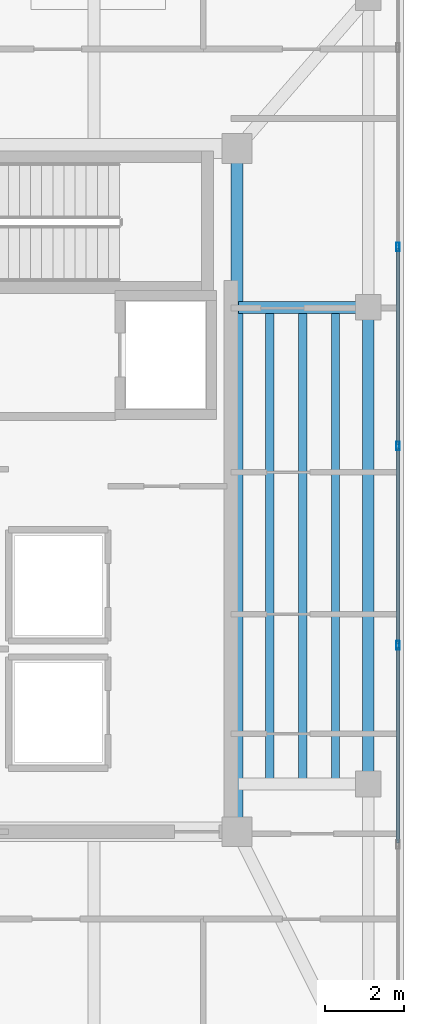
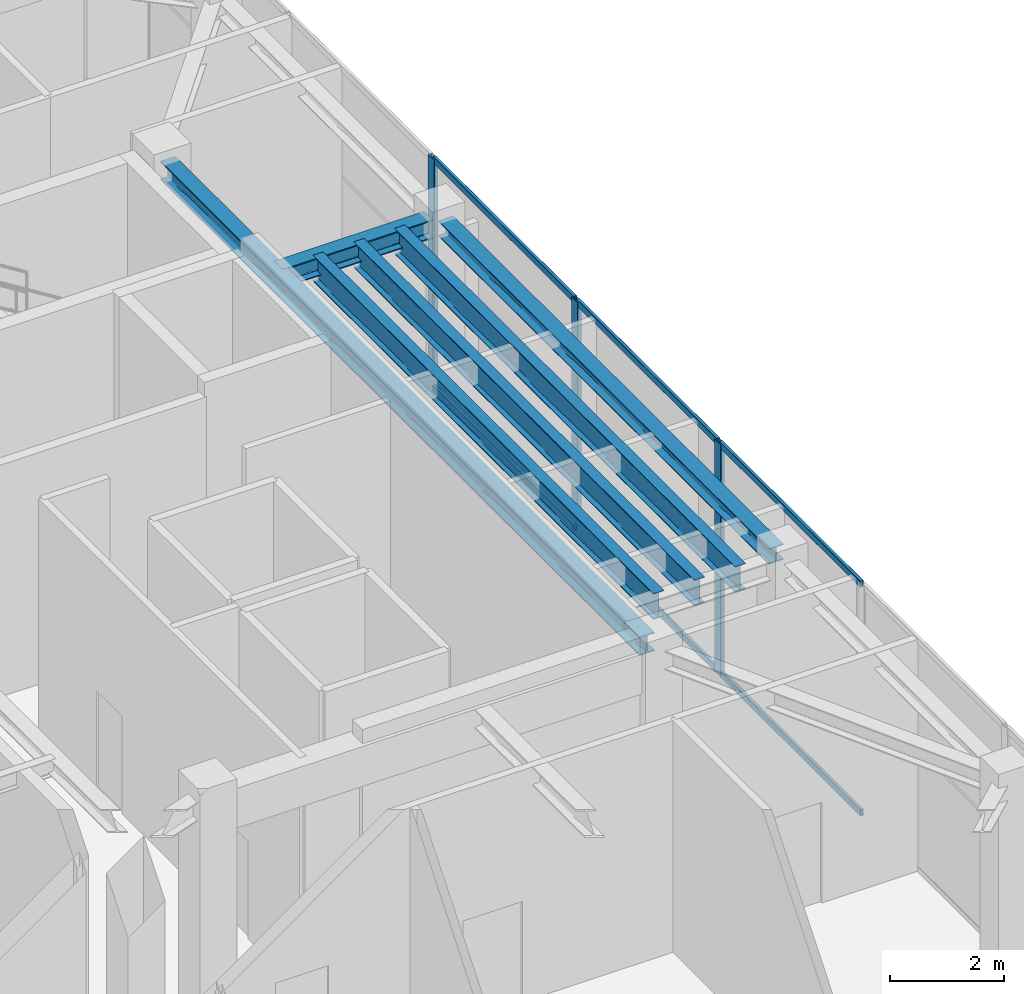
# One storey, part 9 of 23: 9 members, 6 beams, 1 element without a shape of its own.
"""IFC4 building model written with IfcOpenShell, lengths in metres."""

from ifc_helpers import new_model, si_unit, direction, frame, origin, origin_2d, place, context, subcontext, project, spatial, hollow_rectangle, i_section, extrude, material, layer, layer_set, material_profile, profile_set, type_object, element, aggregate, save


model = new_model("IFC4")

# Units and contexts
model_context = context("Model", 3, precision=1e-05, world=origin(), true_north=direction((0.0, 1.0)))
body_context = subcontext(model_context, "Body", "Model", "MODEL_VIEW")
ifc_project = project(units=[si_unit("LENGTHUNIT", "METRE"), si_unit("AREAUNIT", "SQUARE_METRE"), si_unit("VOLUMEUNIT", "CUBIC_METRE"), si_unit("PLANEANGLEUNIT", "RADIAN"), si_unit("MASSUNIT", "GRAM", prefix="KILO")], contexts=[model_context])

# Site, building, storey
site_placement = place(None, origin())
site = spatial("IfcSite", under=ifc_project, at=site_placement, CompositionType="ELEMENT")
building_placement = place(site_placement, origin())
building = spatial("IfcBuilding", under=site, at=building_placement, Name="Tarnavaz Court Tower", CompositionType="ELEMENT")
storey_placement = place(building_placement, frame((0.0, 0.0, 276.300048828125)))
storey = spatial("IfcBuildingStorey", under=building, at=storey_placement, Name="L75", CompositionType="ELEMENT", Elevation=276.300048828125)

# Beams
ifc_material_1 = material(Name="Steel S355", Category="steel")
ifc_material_profile_1 = material_profile(ifc_material_1, i_section(OverallWidth=0.300048828125, OverallDepth=0.39990234375, WebThickness=0.013427734375, FlangeThickness=0.02392578125, FilletRadius=0.027099609375, at=origin_2d()), Name="HEB 400")
ifc_profile_set_1 = profile_set([ifc_material_profile_1], Name="Steel S355")
beam_type_1 = type_object("IfcBeamType", Name="BM-G-HEB400", PredefinedType="USERDEFINED", material=ifc_profile_set_1)
beam_1_placement = place(storey_placement, frame((18.60009765625, -6.97998046875, 4.75), z_axis=(0.0, 1.0, 0.0), x_axis=(-1.0, 0.0, 0.0)))
element("IfcBeam", 1, at=beam_1_placement, inside=storey, type_object=beam_type_1, Name="L75 Beam IN-CE-SO-CE-NO", ObjectType="GIRDER", PredefinedType="USERDEFINED", context=body_context, shape_type="SweptSolid", body=[
    extrude(i_section(OverallWidth=0.300048828125, OverallDepth=0.39990234375, WebThickness=0.013427734375, FlangeThickness=0.02392578125, FilletRadius=0.027099609375, at=origin_2d()), origin(), (0.0, 0.0, 1.0), 16.760009765625),
])
beam_2_placement = place(storey_placement, frame((18.639892578125, 6.0, 4.75), z_axis=(1.0, 0.0, 0.0), x_axis=(0.0, 1.0, 0.0)))
element("IfcBeam", 2, at=beam_2_placement, inside=storey, type_object=beam_type_1, Name="L75 Beam RG-10", ObjectType="GIRDER", PredefinedType="USERDEFINED", context=body_context, shape_type="SweptSolid", body=[
    extrude(i_section(OverallWidth=0.300048828125, OverallDepth=0.39990234375, WebThickness=0.013427734375, FlangeThickness=0.02392578125, FilletRadius=0.027099609375, at=origin_2d()), origin(), (0.0, 0.0, 1.0), 3.0400390625),
])
ifc_material_profile_2 = material_profile(ifc_material_1, i_section(OverallWidth=0.2099609375, OverallDepth=0.550048828125, WebThickness=0.010986328125, FlangeThickness=0.01708984375, FilletRadius=0.02392578125, at=origin_2d()), Name="IPE 550")
ifc_profile_set_2 = profile_set([ifc_material_profile_2], Name="Steel S355")
beam_type_2 = type_object("IfcBeamType", Name="BM-J-IPE550", PredefinedType="JOIST", material=ifc_profile_set_2)
for number, where, z_axis, x_axis, name in (
    (3, (19.425048828125, -5.9599609375, 4.675048828125), (0.0, 1.0, 0.0), (-1.0, 0.0, 0.0), "L75 Beam JE1"),
    (4, (20.25, -5.9599609375, 4.675048828125), (0.0, 1.0, 0.0), (-1.0, 0.0, 0.0), "L75 Beam JE2"),
    (5, (21.074951171875, -5.9599609375, 4.675048828125), (0.0, 1.0, 0.0), (-1.0, 0.0, 0.0), "L75 Beam JE3"),
):
    element("IfcBeam", number, at=place(storey_placement, frame(where, z_axis=z_axis, x_axis=x_axis)), inside=storey, type_object=beam_type_2, Name=name, PredefinedType="JOIST", context=body_context, shape_type="SweptSolid", body=[
        extrude(i_section(OverallWidth=0.2099609375, OverallDepth=0.550048828125, WebThickness=0.010986328125, FlangeThickness=0.01708984375, FilletRadius=0.02392578125, at=origin_2d()), origin(), (0.0, 0.0, 1.0), 11.919921875),
    ])
ifc_material_profile_3 = material_profile(ifc_material_1, i_section(OverallWidth=0.300048828125, OverallDepth=0.330078125, WebThickness=0.009521484375, FlangeThickness=0.0166015625, FilletRadius=0.027099609375, at=origin_2d()), Name="HEA 340")
ifc_profile_set_3 = profile_set([ifc_material_profile_3], Name="Steel S355")
beam_type_3 = type_object("IfcBeamType", Name="BM-SP-HEA340", PredefinedType="BEAM", material=ifc_profile_set_3)
beam_3_placement = place(storey_placement, frame((21.89990234375, -5.780029296875, 4.784912109375), z_axis=(0.0, 1.0, 0.0), x_axis=(-1.0, 0.0, 0.0)))
element("IfcBeam", 6, at=beam_3_placement, inside=storey, type_object=beam_type_3, Name="L75 Beam PR-PE-2-PE-3", PredefinedType="BEAM", context=body_context, shape_type="SweptSolid", body=[
    extrude(i_section(OverallWidth=0.300048828125, OverallDepth=0.330078125, WebThickness=0.009521484375, FlangeThickness=0.0166015625, FilletRadius=0.027099609375, at=origin_2d()), origin(), (0.0, 0.0, 1.0), 11.56005859375),
])

# Curtain wall, members
ifc_material_2 = material(Name="Anodised Aluminium 6063-T6 and Solar Low-E Glazing", Category="aluminium")
ifc_layer = layer(ifc_material_2, 0.2099609375)
ifc_layer_set = layer_set([ifc_layer], Name="Anodised Aluminium 6063-T6 and Solar Low-E Glazing")
curtain_wall_type = type_object("IfcCurtainWallType", Name="CW-SYS-06", PredefinedType="NOTDEFINED", material=ifc_layer_set)
curtain_wall_placement = place(storey_placement, origin())
curtain_wall = element("IfcCurtainWall", 7, at=curtain_wall_placement, inside=storey, type_object=curtain_wall_type, Name="L75 Observation Curtain Wall 12", PredefinedType="NOTDEFINED")
ifc_material_3 = material(Name="Anodised Aluminium 6063-T6", Category="aluminium")
ifc_material_profile_4 = material_profile(ifc_material_3, hollow_rectangle(XDim=0.0849609375, YDim=0.219970703125, WallThickness=0.006103515625, InnerFilletRadius=0.006103515625, OuterFilletRadius=0.011962890625, at=origin_2d()), Name="ALU RHS 220X85X6")
ifc_profile_set_4 = profile_set([ifc_material_profile_4], Name="Anodised Aluminium 6063-T6")
member_type_1 = type_object("IfcMemberType", Name="CW-MUL-220", PredefinedType="MULLION", material=ifc_profile_set_4)
member_1_placement = place(storey_placement, frame((22.64990234375, 7.521484375, 0.0), z_axis=(0.0, 0.0, 1.0), x_axis=(1.0, 0.0, 0.0)))
member_1 = element("IfcMember", 8, at=member_1_placement, type_object=member_type_1, Name="CW mullion 3", PredefinedType="MULLION", context=body_context, shape_type="SweptSolid", body=[
    extrude(hollow_rectangle(XDim=0.0849609375, YDim=0.219970703125, WallThickness=0.006103515625, InnerFilletRadius=0.006103515625, OuterFilletRadius=0.011962890625, at=origin_2d()), origin(), (0.0, 0.0, 1.0), 4.949951171875),
])
member_2_placement = place(storey_placement, frame((22.64990234375, 2.507080078125, 0.0), z_axis=(0.0, 0.0, 1.0), x_axis=(1.0, 0.0, 0.0)))
member_2 = element("IfcMember", 9, at=member_2_placement, type_object=member_type_1, Name="CW mullion 4", PredefinedType="MULLION", context=body_context, shape_type="SweptSolid", body=[
    extrude(hollow_rectangle(XDim=0.0849609375, YDim=0.219970703125, WallThickness=0.006103515625, InnerFilletRadius=0.006103515625, OuterFilletRadius=0.011962890625, at=origin_2d()), origin(), (0.0, 0.0, 1.0), 4.949951171875),
])
member_3_placement = place(storey_placement, frame((22.64990234375, -2.507080078125, 0.0), z_axis=(0.0, 0.0, 1.0), x_axis=(1.0, 0.0, 0.0)))
member_3 = element("IfcMember", 10, at=member_3_placement, type_object=member_type_1, Name="CW mullion 5", PredefinedType="MULLION", context=body_context, shape_type="SweptSolid", body=[
    extrude(hollow_rectangle(XDim=0.0849609375, YDim=0.219970703125, WallThickness=0.006103515625, InnerFilletRadius=0.006103515625, OuterFilletRadius=0.011962890625, at=origin_2d()), origin(), (0.0, 0.0, 1.0), 4.949951171875),
])
ifc_material_profile_5 = material_profile(ifc_material_3, hollow_rectangle(XDim=0.06494140625, YDim=0.139892578125, WallThickness=0.00390625, InnerFilletRadius=0.00390625, OuterFilletRadius=0.008056640625, at=origin_2d()), Name="ALU RHS 140X65X4")
ifc_profile_set_5 = profile_set([ifc_material_profile_5], Name="Anodised Aluminium 6063-T6")
member_type_2 = type_object("IfcMemberType", Name="CW-TRN-140", PredefinedType="USERDEFINED", material=ifc_profile_set_5)
member_4_placement = place(storey_placement, frame((22.64990234375, 7.47900390625, 0.032470703125), z_axis=(0.0, -1.0, 0.0), x_axis=(1.0, 0.0, 0.0)))
member_4 = element("IfcMember", 11, at=member_4_placement, type_object=member_type_2, Name="CW transom 3.1", ObjectType="TRANSOM", PredefinedType="USERDEFINED", context=body_context, shape_type="SweptSolid", body=[
    extrude(hollow_rectangle(XDim=0.06494140625, YDim=0.139892578125, WallThickness=0.00390625, InnerFilletRadius=0.00390625, OuterFilletRadius=0.008056640625, at=origin_2d()), origin(), (0.0, 0.0, 1.0), 4.929443359375),
])
member_5_placement = place(storey_placement, frame((22.64990234375, 7.47900390625, 4.91748046875), z_axis=(0.0, -1.0, 0.0), x_axis=(1.0, 0.0, 0.0)))
member_5 = element("IfcMember", 12, at=member_5_placement, type_object=member_type_2, Name="CW transom 3.2", ObjectType="TRANSOM", PredefinedType="USERDEFINED", context=body_context, shape_type="SweptSolid", body=[
    extrude(hollow_rectangle(XDim=0.06494140625, YDim=0.139892578125, WallThickness=0.00390625, InnerFilletRadius=0.00390625, OuterFilletRadius=0.008056640625, at=origin_2d()), origin(), (0.0, 0.0, 1.0), 4.929443359375),
])
member_6_placement = place(storey_placement, frame((22.64990234375, 2.464599609375, 0.032470703125), z_axis=(0.0, -1.0, 0.0), x_axis=(1.0, 0.0, 0.0)))
member_6 = element("IfcMember", 13, at=member_6_placement, type_object=member_type_2, Name="CW transom 4.1", ObjectType="TRANSOM", PredefinedType="USERDEFINED", context=body_context, shape_type="SweptSolid", body=[
    extrude(hollow_rectangle(XDim=0.06494140625, YDim=0.139892578125, WallThickness=0.00390625, InnerFilletRadius=0.00390625, OuterFilletRadius=0.008056640625, at=origin_2d()), origin(), (0.0, 0.0, 1.0), 4.92919921875),
])
member_7_placement = place(storey_placement, frame((22.64990234375, 2.464599609375, 4.91748046875), z_axis=(0.0, -1.0, 0.0), x_axis=(1.0, 0.0, 0.0)))
member_7 = element("IfcMember", 14, at=member_7_placement, type_object=member_type_2, Name="CW transom 4.2", ObjectType="TRANSOM", PredefinedType="USERDEFINED", context=body_context, shape_type="SweptSolid", body=[
    extrude(hollow_rectangle(XDim=0.06494140625, YDim=0.139892578125, WallThickness=0.00390625, InnerFilletRadius=0.00390625, OuterFilletRadius=0.008056640625, at=origin_2d()), origin(), (0.0, 0.0, 1.0), 4.92919921875),
])
member_8_placement = place(storey_placement, frame((22.64990234375, -2.549560546875, 0.032470703125), z_axis=(0.0, -1.0, 0.0), x_axis=(1.0, 0.0, 0.0)))
member_8 = element("IfcMember", 15, at=member_8_placement, type_object=member_type_2, Name="CW transom 5.1", ObjectType="TRANSOM", PredefinedType="USERDEFINED", context=body_context, shape_type="SweptSolid", body=[
    extrude(hollow_rectangle(XDim=0.06494140625, YDim=0.139892578125, WallThickness=0.00390625, InnerFilletRadius=0.00390625, OuterFilletRadius=0.008056640625, at=origin_2d()), origin(), (0.0, 0.0, 1.0), 4.929443359375),
])
member_9_placement = place(storey_placement, frame((22.64990234375, -2.549560546875, 4.91748046875), z_axis=(0.0, -1.0, 0.0), x_axis=(1.0, 0.0, 0.0)))
member_9 = element("IfcMember", 16, at=member_9_placement, type_object=member_type_2, Name="CW transom 5.2", ObjectType="TRANSOM", PredefinedType="USERDEFINED", context=body_context, shape_type="SweptSolid", body=[
    extrude(hollow_rectangle(XDim=0.06494140625, YDim=0.139892578125, WallThickness=0.00390625, InnerFilletRadius=0.00390625, OuterFilletRadius=0.008056640625, at=origin_2d()), origin(), (0.0, 0.0, 1.0), 4.929443359375),
])
aggregate(curtain_wall, [member_1, member_2, member_3, member_4, member_5, member_6, member_7, member_8, member_9])

save(model, "model.ifc")
